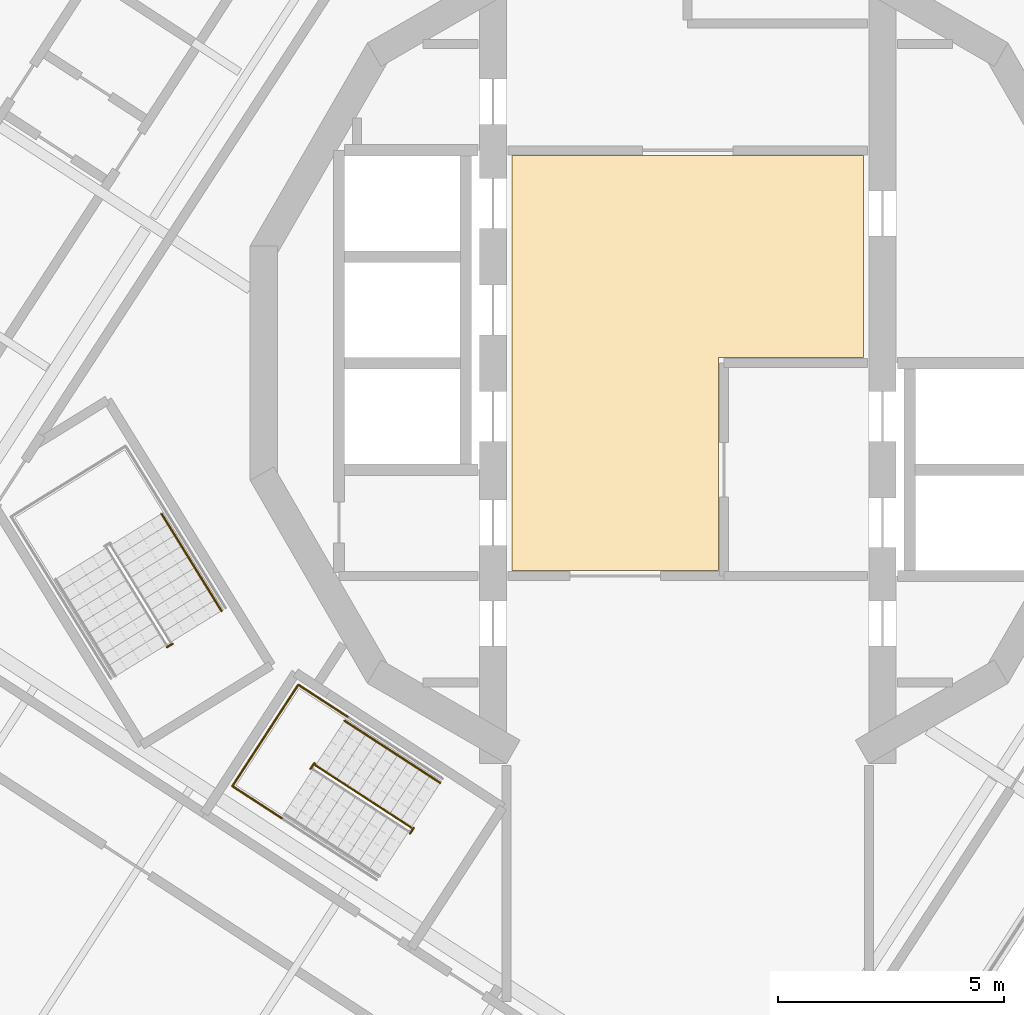
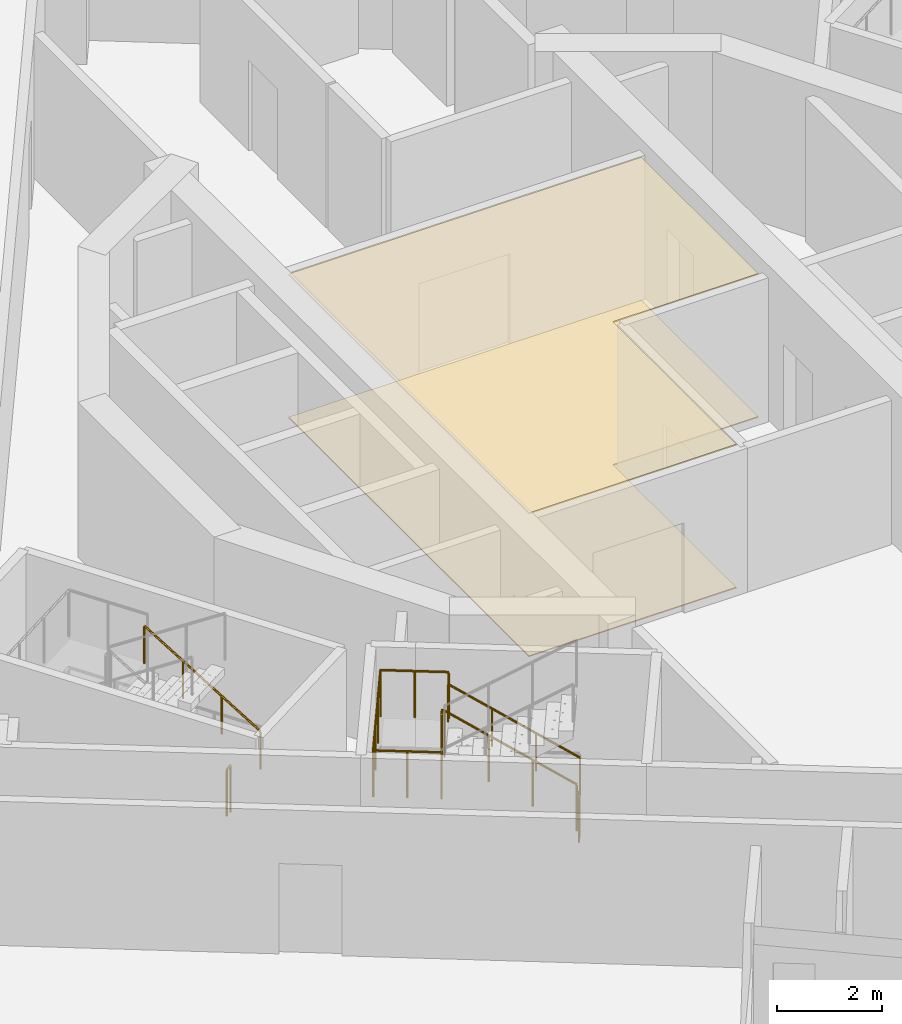
# One storey, part 13 of 17: 6 railings, 2 coverings.
"""IFC4 building model written with IfcOpenShell, lengths in metres."""

import ifcopenshell
import ifcopenshell.guid

model = None  # the IFC model being written
_history = None  # IfcOwnerHistory: only IFC2X3 demands one
_inside = {}  # id of a spatial element -> (the spatial element, [elements in it])
_under = {}  # id of a project, library or spatial element -> (it, [spatial elements below it])
_declared = {}  # id of a project -> (the project, [libraries it declares])
_typed = {}  # id of a type object -> (the type object, [elements of that type])
_made_of = {}  # id of a material, layer set ... -> (it, [elements and type objects made of it])


def new_model(schema):
    """Start an empty IFC model of exactly this schema.

    Asked for "IFC4X3", IfcOpenShell would pick the latest addendum, in which some entities
    have other attributes; the version numbers below select the first issue.
    IFC2X3 requires an IfcOwnerHistory on every rooted entity: one is made here for all.
    """
    global model, _history
    if schema == "IFC4X3":
        model = ifcopenshell.file(schema_version=(4, 3, 0, 0))
    else:
        model = ifcopenshell.file(schema=schema)
    _inside.clear()
    _under.clear()
    _declared.clear()
    _typed.clear()
    _made_of.clear()
    _history = None
    if model.schema == "IFC2X3":
        org = make("IfcOrganization", Name="unknown")
        user = make(
            "IfcPersonAndOrganization",
            ThePerson=make("IfcPerson", FamilyName="unknown"),
            TheOrganization=org,
        )
        app = make(
            "IfcApplication",
            ApplicationDeveloper=org,
            Version="unknown",
            ApplicationFullName="unknown",
            ApplicationIdentifier="unknown",
        )
        _history = make(
            "IfcOwnerHistory",
            OwningUser=user,
            OwningApplication=app,
            ChangeAction="ADDED",
            CreationDate=0,
        )
    return model


def make(cls, **values):
    """One entity of the class cls with the attributes given. An attribute that is None is left unset."""
    return model.create_entity(
        cls, **{name: value for name, value in values.items() if value is not None}
    )


def rooted(cls, **values):
    """An entity with a GlobalId (a new one), such as an element, a storey or a relation."""
    return make(cls, GlobalId=ifcopenshell.guid.new(), OwnerHistory=_history, **values)


def si_unit(unit_type, name, prefix=None):
    """IfcSIUnit, for example si_unit("LENGTHUNIT", "METRE", prefix="MILLI")."""
    return make("IfcSIUnit", UnitType=unit_type, Prefix=prefix, Name=name)


def assignment(units):
    """IfcUnitAssignment: the units of a project."""
    return None if units is None else make("IfcUnitAssignment", Units=units)


def point(xyz):
    """IfcCartesianPoint."""
    return None if xyz is None else make("IfcCartesianPoint", Coordinates=xyz)


def direction(xyz):
    """IfcDirection."""
    return None if xyz is None else make("IfcDirection", DirectionRatios=xyz)


def frame(location, z_axis=None, x_axis=None):
    """IfcAxis2Placement3D, a coordinate frame: its origin and axes. An axis left out is left unset."""
    return make(
        "IfcAxis2Placement3D",
        Location=point(location),
        Axis=direction(z_axis),
        RefDirection=direction(x_axis),
    )


def frame_2d(location, x_axis=None):
    """IfcAxis2Placement2D, a coordinate frame in the plane: its origin and x axis."""
    return make(
        "IfcAxis2Placement2D", Location=point(location), RefDirection=direction(x_axis)
    )


def origin():
    """The frame at (0, 0, 0) with its axes left unset."""
    return frame((0.0, 0.0, 0.0))


def origin_2d():
    """The frame at (0, 0) in the plane with its x axis left unset."""
    return frame_2d((0.0, 0.0))


def place(relative_to, where):
    """IfcLocalPlacement: puts the frame where relative to a parent placement (None: the world)."""
    return make(
        "IfcLocalPlacement", PlacementRelTo=relative_to, RelativePlacement=where
    )


def context(
    kind, dimensions, precision=None, world=None, true_north=None, identifier=None
):
    """IfcGeometricRepresentationContext, for example the 3D "Model" context."""
    return make(
        "IfcGeometricRepresentationContext",
        ContextIdentifier=identifier,
        ContextType=kind,
        CoordinateSpaceDimension=dimensions,
        Precision=precision,
        WorldCoordinateSystem=world,
        TrueNorth=true_north,
    )


def subcontext(parent, identifier, kind, view, scale=None):
    """IfcGeometricRepresentationSubContext, for example "Body" below "Model"."""
    return make(
        "IfcGeometricRepresentationSubContext",
        ContextIdentifier=identifier,
        ContextType=kind,
        ParentContext=parent,
        TargetScale=scale,
        TargetView=view,
    )


def project(units=None, contexts=None):
    """IfcProject with its units and contexts."""
    return rooted(
        "IfcProject",
        Name="project",
        RepresentationContexts=contexts,
        UnitsInContext=assignment(units),
    )


def spatial(cls, under=None, at=None, **own):
    """A site, building, storey or space (cls), placed at a placement, below another one or the project."""
    s = rooted(cls, ObjectPlacement=at, **own)
    if under is not None:
        _under.setdefault(under.id(), (under, []))[1].append(s)
    return s


def polyline(points):
    """IfcPolyline through the points."""
    return make("IfcPolyline", Points=[point(p) for p in points])


def profile(cls, at=None, kind="AREA", **sizes):
    """A parametric profile (cls). Its sizes go by their IFC names, for example OverallWidth=200.0."""
    return make(cls, ProfileType=kind, Position=at, **sizes)


def circle(**sizes):
    """IfcCircleProfileDef."""
    return profile("IfcCircleProfileDef", **sizes)


def outline(outer, holes=None, kind="AREA"):
    """IfcArbitraryClosedProfileDef: a profile drawn as a closed curve; with holes, ...WithVoids."""
    if holes is None:
        return make("IfcArbitraryClosedProfileDef", ProfileType=kind, OuterCurve=outer)
    return make(
        "IfcArbitraryProfileDefWithVoids",
        ProfileType=kind,
        OuterCurve=outer,
        InnerCurves=holes,
    )


def extrude(swept, where, along, depth):
    """IfcExtrudedAreaSolid: the profile swept, set in the frame where, extruded along a direction by depth."""
    return make(
        "IfcExtrudedAreaSolid",
        SweptArea=swept,
        Position=where,
        ExtrudedDirection=direction(along),
        Depth=depth,
    )


def shape(context_of_items, identifier, shape_type, items):
    """IfcShapeRepresentation: the items that make up one representation, for example the "Body"."""
    return make(
        "IfcShapeRepresentation",
        ContextOfItems=context_of_items,
        RepresentationIdentifier=identifier,
        RepresentationType=shape_type,
        Items=items,
    )


def material(Name=None, Category=None):
    """IfcMaterial."""
    return make("IfcMaterial", Name=Name, Category=Category)


def layer(
    of_material, thickness, ventilated=None, Name=None, Category=None, Priority=None
):
    """IfcMaterialLayer: one layer of a wall or slab, of a material (None: an air gap)."""
    return make(
        "IfcMaterialLayer",
        Material=of_material,
        LayerThickness=thickness,
        IsVentilated=ventilated,
        Name=Name,
        Category=Category,
        Priority=Priority,
    )


def layer_set(layers, Name=None):
    """IfcMaterialLayerSet."""
    return make("IfcMaterialLayerSet", MaterialLayers=layers, LayerSetName=Name)


def made_of(thing, what):
    """Note that an element or type object is made of a material, layer set ...; save() writes the relation."""
    if what is not None:
        _made_of.setdefault(what.id(), (what, []))[1].append(thing)
    return thing


def type_object(cls, material=None, **own):
    """A type object (cls), such as IfcWallType, which elements share."""
    return made_of(rooted(cls, **own), material)


def element(
    cls,
    number,
    at=None,
    inside=None,
    cuts=None,
    type_object=None,
    material=None,
    context=None,
    identifier="Body",
    shape_type=None,
    held_by="IfcProductDefinitionShape",
    body=None,
    shapes=None,
    **own,
):
    """One element of the class cls, such as IfcWall. Its Tag is "e" and its number.

    at: its placement. inside: the storey or other place that contains it. cuts: it is an
    opening in that element (IfcRelVoidsElement). A single representation is given by context,
    identifier, shape_type and body (its items); several are given by shapes. held_by: the class
    of the entity that holds the representations. save() writes the other relations.
    """
    e = rooted(cls, Tag="e%d" % number, ObjectPlacement=at, **own)
    if body is not None:
        shapes = [shape(context, identifier, shape_type, body)]
    if shapes is not None:
        e.Representation = make(held_by, Representations=shapes)
    if inside is not None:
        _inside.setdefault(inside.id(), (inside, []))[1].append(e)
    if cuts is not None:
        rooted(
            "IfcRelVoidsElement", RelatingBuildingElement=cuts, RelatedOpeningElement=e
        )
    if type_object is not None:
        _typed.setdefault(type_object.id(), (type_object, []))[1].append(e)
    return made_of(e, material)


def aggregate(whole, parts):
    """IfcRelAggregates: a whole, such as a stair, and the parts it consists of."""
    return rooted("IfcRelAggregates", RelatingObject=whole, RelatedObjects=parts)


def save(model, path):
    """Write the relations noted so far, then the file.

    IfcRelAggregates (storeys below a building ...), IfcRelContainedInSpatialStructure (elements
    in a storey), IfcRelDefinesByType, IfcRelAssociatesMaterial and IfcRelDeclares: one each for
    every whole, place, type object, material and project.
    """
    for whole, parts in _under.values():
        aggregate(whole, parts)
    for where, things in _inside.values():
        rooted(
            "IfcRelContainedInSpatialStructure",
            RelatedElements=things,
            RelatingStructure=where,
        )
    for kind, things in _typed.values():
        rooted("IfcRelDefinesByType", RelatedObjects=things, RelatingType=kind)
    for what, things in _made_of.values():
        rooted("IfcRelAssociatesMaterial", RelatedObjects=things, RelatingMaterial=what)
    for by, libraries in _declared.values():
        rooted("IfcRelDeclares", RelatingContext=by, RelatedDefinitions=libraries)
    model.write(path)


model = new_model("IFC4")

# Units and contexts
model_context = context("Model", 3, precision=1e-05, world=origin(), true_north=direction((0.0, 1.0)))
body_context = subcontext(model_context, "Body", "Model", "MODEL_VIEW")
ifc_project = project(units=[si_unit("LENGTHUNIT", "METRE"), si_unit("AREAUNIT", "SQUARE_METRE"), si_unit("VOLUMEUNIT", "CUBIC_METRE"), si_unit("PLANEANGLEUNIT", "RADIAN"), si_unit("MASSUNIT", "GRAM", prefix="KILO")], contexts=[model_context])

# Site, building, storey
site_placement = place(None, origin())
site = spatial("IfcSite", under=ifc_project, at=site_placement, CompositionType="ELEMENT")
building_placement = place(site_placement, origin())
building = spatial("IfcBuilding", under=site, at=building_placement, Name="Cantera Rosa Tower", CompositionType="ELEMENT")
storey_placement = place(building_placement, frame((0.0, 0.0, 254.10009765625)))
storey = spatial("IfcBuildingStorey", under=building, at=storey_placement, Name="L56", CompositionType="ELEMENT", Elevation=254.10009765625)

# Railings
ifc_material_1 = material(Name="Steel S355J2 (EN 10025-2)", Category="steel")
railing_type_1 = type_object("IfcRailingType", Name="STAIR GUARD 1100", PredefinedType="GUARDRAIL", material=ifc_material_1)
railing_1_placement = place(storey_placement, frame((-11.375, -6.19482421875, 0.0)))
element("IfcRailing", 1, at=railing_1_placement, inside=storey, type_object=railing_type_1, Name="L56 ST-52 stair guard 3", PredefinedType="GUARDRAIL", context=body_context, shape_type="SweptSolid", body=[
    extrude(circle(Radius=0.02392578125, at=origin_2d()), frame((0.0, 0.0, 1.076171875), z_axis=(-0.851546489876, -0.524279100842, 0.0), x_axis=(0.524279100842, -0.851546489876, 0.0)), (0.0, 0.0, 1.0), 0.14990234375),
    extrude(circle(Radius=0.02099609375, at=origin_2d()), origin(), (0.0, 0.0, 1.0), 1.052001953125),
    extrude(circle(Radius=0.02099609375, at=origin_2d()), frame((-0.127685546875, -0.07861328125, 0.0)), (0.0, 0.0, 1.0), 1.052001953125),
])
railing_2_placement = place(storey_placement, frame((-6.10400390625, -10.25341796875, 0.179931640625)))
element("IfcRailing", 2, at=railing_2_placement, inside=storey, type_object=railing_type_1, Name="L56 ST-53 stair guard 1", PredefinedType="GUARDRAIL", context=body_context, shape_type="SweptSolid", body=[
    extrude(circle(Radius=0.02392578125, at=origin_2d()), frame((0.0, 0.0, 1.076171875), z_axis=(-0.705493103535, 0.458158972863, 0.540712341684), x_axis=(-0.544644381691, -0.838667095749, 0.0)), (0.0, 0.0, 1.0), 2.995849609375),
    extrude(circle(Radius=0.02392578125, at=origin_2d()), frame((-2.113525390625, 1.37255859375, 2.69580078125), z_axis=(-0.49005532576, 0.871691331662, 0.0), x_axis=(-0.871691331662, -0.49005532576, 0.0)), (0.0, 0.0, 1.0), 0.056396484375),
    extrude(circle(Radius=0.02392578125, at=origin_2d()), frame((-2.14111328125, 1.421630859375, 2.69580078125), z_axis=(-0.545274379459, -0.838257628123, 0.0), x_axis=(0.838257628123, -0.545274379459, 0.0)), (0.0, 0.0, 1.0), 0.14990234375),
    extrude(circle(Radius=0.02099609375, at=origin_2d()), origin(), (0.0, 0.0, 1.0), 1.052001953125),
    extrude(circle(Radius=0.02099609375, at=origin_2d()), frame((-0.70458984375, 0.45751953125, 0.5400390625)), (0.0, 0.0, 1.0), 1.052001953125),
    extrude(circle(Radius=0.02099609375, at=origin_2d()), frame((-1.408935546875, 0.9150390625, 1.079833984375)), (0.0, 0.0, 1.0), 1.052001953125),
    extrude(circle(Radius=0.02099609375, at=origin_2d()), frame((-2.113525390625, 1.37255859375, 1.619873046875)), (0.0, 0.0, 1.0), 1.052001953125),
    extrude(circle(Radius=0.02099609375, at=origin_2d()), frame((-2.14111328125, 1.421630859375, 1.619873046875)), (0.0, 0.0, 1.0), 1.052001953125),
    extrude(circle(Radius=0.02099609375, at=origin_2d()), frame((-2.222900390625, 1.2958984375, 1.619873046875)), (0.0, 0.0, 1.0), 1.052001953125),
])
railing_3_placement = place(storey_placement, frame((-6.0478515625, -10.2587890625, 0.0)))
element("IfcRailing", 3, at=railing_3_placement, inside=storey, type_object=railing_type_1, Name="L56 ST-53 stair guard 3", PredefinedType="GUARDRAIL", context=body_context, shape_type="SweptSolid", body=[
    extrude(circle(Radius=0.02392578125, at=origin_2d()), frame((0.0, 0.0, 1.076171875), z_axis=(-0.545274379459, -0.838257628123, 0.0), x_axis=(0.838257628123, -0.545274379459, 0.0)), (0.0, 0.0, 1.0), 0.14990234375),
    extrude(circle(Radius=0.02099609375, at=origin_2d()), origin(), (0.0, 0.0, 1.0), 1.052001953125),
    extrude(circle(Radius=0.02099609375, at=origin_2d()), frame((-0.081787109375, -0.125732421875, 0.0)), (0.0, 0.0, 1.0), 1.052001953125),
])
railing_4_placement = place(storey_placement, frame((-7.507080078125, -7.808837890625, 1.7998046875)))
element("IfcRailing", 4, at=railing_4_placement, inside=storey, type_object=railing_type_1, Name="L56 ST-53 stair guard 5", PredefinedType="GUARDRAIL", context=body_context, shape_type="SweptSolid", body=[
    extrude(circle(Radius=0.02392578125, at=origin_2d()), frame((0.0, 0.0, 1.076171875), z_axis=(-0.838597818641, 0.544751042744, 0.0), x_axis=(-0.544751042744, -0.838597818641, 0.0)), (0.0, 0.0, 1.0), 1.302001953125),
    extrude(circle(Radius=0.02392578125, at=origin_2d()), frame((-1.091796875, 0.709228515625, 1.076171875), z_axis=(-0.544679779991, -0.838644106442, 0.0), x_axis=(0.838644106442, -0.544679779991, 0.0)), (0.0, 0.0, 1.0), 2.670166015625),
    extrude(circle(Radius=0.02392578125, at=origin_2d()), frame((-2.546142578125, -1.530029296875, 1.076171875), z_axis=(0.838653453326, -0.544665388311, 0.0), x_axis=(0.544665388311, 0.838653453326, 0.0)), (0.0, 0.0, 1.0), 1.30224609375),
    extrude(circle(Radius=0.02099609375, at=origin_2d()), origin(), (0.0, 0.0, 1.0), 1.052001953125),
    extrude(circle(Radius=0.02099609375, at=origin_2d()), frame((-0.5458984375, 0.3544921875, 0.0)), (0.0, 0.0, 1.0), 1.052001953125),
    extrude(circle(Radius=0.02099609375, at=origin_2d()), frame((-1.091796875, 0.709228515625, 0.0)), (0.0, 0.0, 1.0), 1.052001953125),
    extrude(circle(Radius=0.02099609375, at=origin_2d()), frame((-1.57666015625, -0.037109375, 0.0)), (0.0, 0.0, 1.0), 1.052001953125),
    extrude(circle(Radius=0.02099609375, at=origin_2d()), frame((-2.061279296875, -0.78369140625, 0.0)), (0.0, 0.0, 1.0), 1.052001953125),
    extrude(circle(Radius=0.02099609375, at=origin_2d()), frame((-2.546142578125, -1.530029296875, 0.0)), (0.0, 0.0, 1.0), 1.052001953125),
    extrude(circle(Radius=0.02099609375, at=origin_2d()), frame((-2.0, -1.884765625, 0.0)), (0.0, 0.0, 1.0), 1.052001953125),
    extrude(circle(Radius=0.02099609375, at=origin_2d()), frame((-1.4541015625, -2.2392578125, 0.0)), (0.0, 0.0, 1.0), 1.052001953125),
])
ifc_material_2 = material(Name="Steel S355J2 (EN 10025-2)", Category="steel")
railing_type_2 = type_object("IfcRailingType", Name="STAIR HANDRAIL 900", PredefinedType="HANDRAIL", material=ifc_material_2)
railing_5_placement = place(storey_placement, frame((-10.294677734375, -5.4697265625, 0.179931640625)))
element("IfcRailing", 5, at=railing_5_placement, inside=storey, type_object=railing_type_2, Name="L56 ST-52 stair handrail 1", PredefinedType="HANDRAIL", context=body_context, shape_type="SweptSolid", body=[
    extrude(circle(Radius=0.02392578125, at=origin_2d()), frame((0.0, 0.0, 0.8759765625), z_axis=(-0.441628529057, 0.715945124149, 0.540728047664), x_axis=(-0.851102330005, -0.524999832248, 0.0)), (0.0, 0.0, 1.0), 2.99560546875),
    extrude(circle(Radius=0.02099609375, at=origin_2d()), origin(), (0.0, 0.0, 1.0), 0.851806640625),
    extrude(circle(Radius=0.02099609375, at=origin_2d()), frame((-0.44091796875, 0.71484375, 0.5400390625)), (0.0, 0.0, 1.0), 0.851806640625),
    extrude(circle(Radius=0.02099609375, at=origin_2d()), frame((-0.882080078125, 1.429931640625, 1.079833984375)), (0.0, 0.0, 1.0), 0.851806640625),
    extrude(circle(Radius=0.02099609375, at=origin_2d()), frame((-1.322998046875, 2.144775390625, 1.619873046875)), (0.0, 0.0, 1.0), 0.851806640625),
])
railing_6_placement = place(storey_placement, frame((-5.463623046875, -9.26708984375, 0.179931640625)))
element("IfcRailing", 6, at=railing_6_placement, inside=storey, type_object=railing_type_2, Name="L56 ST-53 stair handrail 1", PredefinedType="HANDRAIL", context=body_context, shape_type="SweptSolid", body=[
    extrude(circle(Radius=0.02392578125, at=origin_2d()), frame((0.0, 0.0, 0.8759765625), z_axis=(-0.705452167267, 0.458185314739, 0.54074342997), x_axis=(-0.544688635705, -0.838638354795, 0.0)), (0.0, 0.0, 1.0), 2.99560546875),
    extrude(circle(Radius=0.02099609375, at=origin_2d()), origin(), (0.0, 0.0, 1.0), 0.851806640625),
    extrude(circle(Radius=0.02099609375, at=origin_2d()), frame((-0.704345703125, 0.45751953125, 0.5400390625)), (0.0, 0.0, 1.0), 0.851806640625),
    extrude(circle(Radius=0.02099609375, at=origin_2d()), frame((-1.408935546875, 0.9150390625, 1.079833984375)), (0.0, 0.0, 1.0), 0.851806640625),
    extrude(circle(Radius=0.02099609375, at=origin_2d()), frame((-2.11328125, 1.37255859375, 1.619873046875)), (0.0, 0.0, 1.0), 0.851806640625),
])

# Coverings
ifc_material_3 = material(Name="Limestone paving", Category="masonry")
ifc_layer_1 = layer(ifc_material_3, 0.02490234375)
ifc_layer_set_1 = layer_set([ifc_layer_1], Name="STONE FLOOR FINISH 25")
covering_type_1 = type_object("IfcCoveringType", Name="STONE FLOOR FINISH 25", PredefinedType="FLOORING", material=ifc_layer_set_1)
covering_1_placement = place(storey_placement, origin())
element("IfcCovering", 7, at=covering_1_placement, inside=storey, type_object=covering_type_1, Name="STONE FLOOR FINISH L56", PredefinedType="FLOORING", context=body_context, shape_type="SweptSolid", body=[
    extrude(outline(polyline([(3.8798828125, 4.580078125), (3.8798828125, 0.1201171875), (0.679931640625, 0.1201171875), (0.679931640625, -4.580078125), (-3.8798828125, -4.580078125), (-3.8798828125, 4.580078125), (3.8798828125, 4.580078125)])), origin(), (0.0, 0.0, 1.0), 0.02490234375),
])
ifc_material_4 = material(Name="Gypsum ceiling tile")
ifc_layer_2 = layer(ifc_material_4, 0.030029296875)
ifc_layer_set_2 = layer_set([ifc_layer_2], Name="SUSPENDED CEILING 30")
covering_type_2 = type_object("IfcCoveringType", Name="SUSPENDED CEILING 30", PredefinedType="CEILING", material=ifc_layer_set_2)
covering_2_placement = place(storey_placement, frame((0.0, 0.0, 3.31982421875)))
element("IfcCovering", 8, at=covering_2_placement, inside=storey, type_object=covering_type_2, Name="SUSPENDED CEILING L56", PredefinedType="CEILING", context=body_context, shape_type="SweptSolid", body=[
    extrude(outline(polyline([(3.8798828125, 4.580078125), (3.8798828125, 0.1201171875), (0.679931640625, 0.1201171875), (0.679931640625, -4.580078125), (-3.8798828125, -4.580078125), (-3.8798828125, 4.580078125), (3.8798828125, 4.580078125)])), origin(), (0.0, 0.0, 1.0), 0.030029296875),
])

save(model, "model.ifc")
